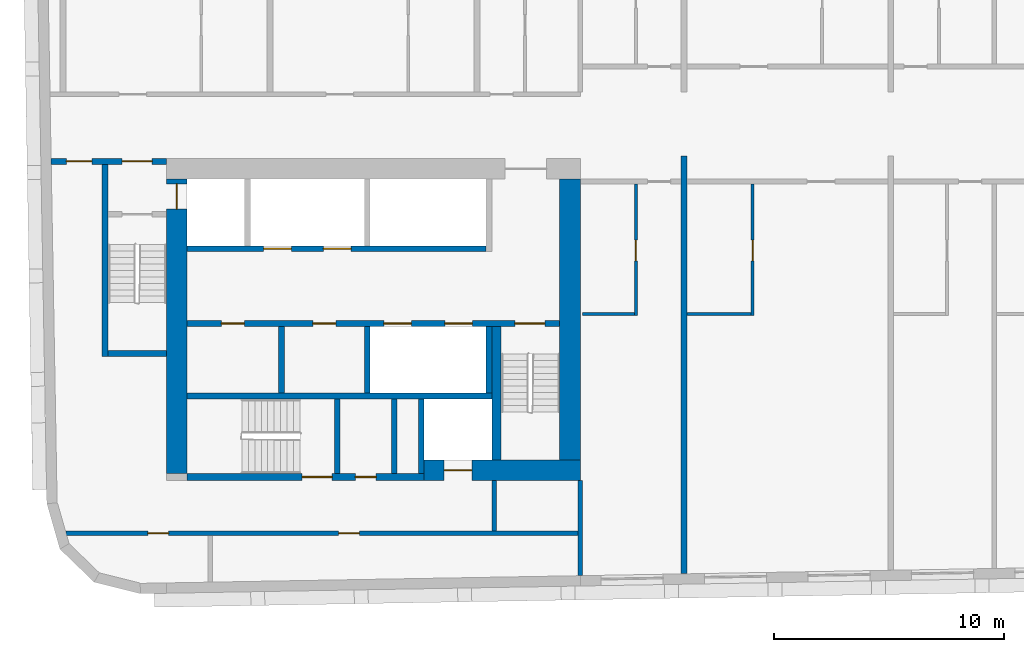
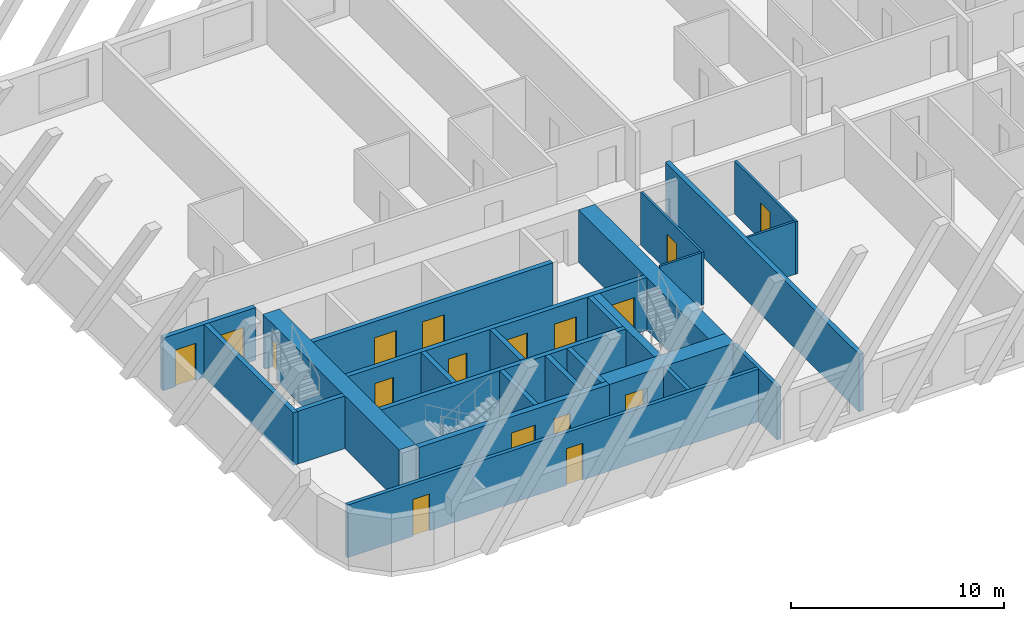
# One storey, part 2 of 12: 25 walls, 17 doors, 17 openings.
"""IFC4 building model written with IfcOpenShell, lengths in metres."""

import ifcopenshell
import ifcopenshell.guid

model = None  # the IFC model being written
_history = None  # IfcOwnerHistory: only IFC2X3 demands one
_inside = {}  # id of a spatial element -> (the spatial element, [elements in it])
_under = {}  # id of a project, library or spatial element -> (it, [spatial elements below it])
_declared = {}  # id of a project -> (the project, [libraries it declares])
_typed = {}  # id of a type object -> (the type object, [elements of that type])
_made_of = {}  # id of a material, layer set ... -> (it, [elements and type objects made of it])


def new_model(schema):
    """Start an empty IFC model of exactly this schema.

    Asked for "IFC4X3", IfcOpenShell would pick the latest addendum, in which some entities
    have other attributes; the version numbers below select the first issue.
    IFC2X3 requires an IfcOwnerHistory on every rooted entity: one is made here for all.
    """
    global model, _history
    if schema == "IFC4X3":
        model = ifcopenshell.file(schema_version=(4, 3, 0, 0))
    else:
        model = ifcopenshell.file(schema=schema)
    _inside.clear()
    _under.clear()
    _declared.clear()
    _typed.clear()
    _made_of.clear()
    _history = None
    if model.schema == "IFC2X3":
        org = make("IfcOrganization", Name="unknown")
        user = make(
            "IfcPersonAndOrganization",
            ThePerson=make("IfcPerson", FamilyName="unknown"),
            TheOrganization=org,
        )
        app = make(
            "IfcApplication",
            ApplicationDeveloper=org,
            Version="unknown",
            ApplicationFullName="unknown",
            ApplicationIdentifier="unknown",
        )
        _history = make(
            "IfcOwnerHistory",
            OwningUser=user,
            OwningApplication=app,
            ChangeAction="ADDED",
            CreationDate=0,
        )
    return model


def make(cls, **values):
    """One entity of the class cls with the attributes given. An attribute that is None is left unset."""
    return model.create_entity(
        cls, **{name: value for name, value in values.items() if value is not None}
    )


def rooted(cls, **values):
    """An entity with a GlobalId (a new one), such as an element, a storey or a relation."""
    return make(cls, GlobalId=ifcopenshell.guid.new(), OwnerHistory=_history, **values)


def si_unit(unit_type, name, prefix=None):
    """IfcSIUnit, for example si_unit("LENGTHUNIT", "METRE", prefix="MILLI")."""
    return make("IfcSIUnit", UnitType=unit_type, Prefix=prefix, Name=name)


def assignment(units):
    """IfcUnitAssignment: the units of a project."""
    return None if units is None else make("IfcUnitAssignment", Units=units)


def point(xyz):
    """IfcCartesianPoint."""
    return None if xyz is None else make("IfcCartesianPoint", Coordinates=xyz)


def direction(xyz):
    """IfcDirection."""
    return None if xyz is None else make("IfcDirection", DirectionRatios=xyz)


def frame(location, z_axis=None, x_axis=None):
    """IfcAxis2Placement3D, a coordinate frame: its origin and axes. An axis left out is left unset."""
    return make(
        "IfcAxis2Placement3D",
        Location=point(location),
        Axis=direction(z_axis),
        RefDirection=direction(x_axis),
    )


def frame_2d(location, x_axis=None):
    """IfcAxis2Placement2D, a coordinate frame in the plane: its origin and x axis."""
    return make(
        "IfcAxis2Placement2D", Location=point(location), RefDirection=direction(x_axis)
    )


def origin():
    """The frame at (0, 0, 0) with its axes left unset."""
    return frame((0.0, 0.0, 0.0))


def place(relative_to, where):
    """IfcLocalPlacement: puts the frame where relative to a parent placement (None: the world)."""
    return make(
        "IfcLocalPlacement", PlacementRelTo=relative_to, RelativePlacement=where
    )


def context(
    kind, dimensions, precision=None, world=None, true_north=None, identifier=None
):
    """IfcGeometricRepresentationContext, for example the 3D "Model" context."""
    return make(
        "IfcGeometricRepresentationContext",
        ContextIdentifier=identifier,
        ContextType=kind,
        CoordinateSpaceDimension=dimensions,
        Precision=precision,
        WorldCoordinateSystem=world,
        TrueNorth=true_north,
    )


def subcontext(parent, identifier, kind, view, scale=None):
    """IfcGeometricRepresentationSubContext, for example "Body" below "Model"."""
    return make(
        "IfcGeometricRepresentationSubContext",
        ContextIdentifier=identifier,
        ContextType=kind,
        ParentContext=parent,
        TargetScale=scale,
        TargetView=view,
    )


def project(units=None, contexts=None):
    """IfcProject with its units and contexts."""
    return rooted(
        "IfcProject",
        Name="project",
        RepresentationContexts=contexts,
        UnitsInContext=assignment(units),
    )


def spatial(cls, under=None, at=None, **own):
    """A site, building, storey or space (cls), placed at a placement, below another one or the project."""
    s = rooted(cls, ObjectPlacement=at, **own)
    if under is not None:
        _under.setdefault(under.id(), (under, []))[1].append(s)
    return s


def profile(cls, at=None, kind="AREA", **sizes):
    """A parametric profile (cls). Its sizes go by their IFC names, for example OverallWidth=200.0."""
    return make(cls, ProfileType=kind, Position=at, **sizes)


def rectangle(**sizes):
    """IfcRectangleProfileDef."""
    return profile("IfcRectangleProfileDef", **sizes)


def extrude(swept, where, along, depth):
    """IfcExtrudedAreaSolid: the profile swept, set in the frame where, extruded along a direction by depth."""
    return make(
        "IfcExtrudedAreaSolid",
        SweptArea=swept,
        Position=where,
        ExtrudedDirection=direction(along),
        Depth=depth,
    )


def shape(context_of_items, identifier, shape_type, items):
    """IfcShapeRepresentation: the items that make up one representation, for example the "Body"."""
    return make(
        "IfcShapeRepresentation",
        ContextOfItems=context_of_items,
        RepresentationIdentifier=identifier,
        RepresentationType=shape_type,
        Items=items,
    )


def material(Name=None, Category=None):
    """IfcMaterial."""
    return make("IfcMaterial", Name=Name, Category=Category)


def layer(
    of_material, thickness, ventilated=None, Name=None, Category=None, Priority=None
):
    """IfcMaterialLayer: one layer of a wall or slab, of a material (None: an air gap)."""
    return make(
        "IfcMaterialLayer",
        Material=of_material,
        LayerThickness=thickness,
        IsVentilated=ventilated,
        Name=Name,
        Category=Category,
        Priority=Priority,
    )


def layer_set(layers, Name=None):
    """IfcMaterialLayerSet."""
    return make("IfcMaterialLayerSet", MaterialLayers=layers, LayerSetName=Name)


def made_of(thing, what):
    """Note that an element or type object is made of a material, layer set ...; save() writes the relation."""
    if what is not None:
        _made_of.setdefault(what.id(), (what, []))[1].append(thing)
    return thing


def type_object(cls, material=None, **own):
    """A type object (cls), such as IfcWallType, which elements share."""
    return made_of(rooted(cls, **own), material)


def element(
    cls,
    number,
    at=None,
    inside=None,
    cuts=None,
    type_object=None,
    material=None,
    context=None,
    identifier="Body",
    shape_type=None,
    held_by="IfcProductDefinitionShape",
    body=None,
    shapes=None,
    **own,
):
    """One element of the class cls, such as IfcWall. Its Tag is "e" and its number.

    at: its placement. inside: the storey or other place that contains it. cuts: it is an
    opening in that element (IfcRelVoidsElement). A single representation is given by context,
    identifier, shape_type and body (its items); several are given by shapes. held_by: the class
    of the entity that holds the representations. save() writes the other relations.
    """
    e = rooted(cls, Tag="e%d" % number, ObjectPlacement=at, **own)
    if body is not None:
        shapes = [shape(context, identifier, shape_type, body)]
    if shapes is not None:
        e.Representation = make(held_by, Representations=shapes)
    if inside is not None:
        _inside.setdefault(inside.id(), (inside, []))[1].append(e)
    if cuts is not None:
        rooted(
            "IfcRelVoidsElement", RelatingBuildingElement=cuts, RelatedOpeningElement=e
        )
    if type_object is not None:
        _typed.setdefault(type_object.id(), (type_object, []))[1].append(e)
    return made_of(e, material)


def fill(opening, filler):
    """IfcRelFillsElement: the door or window that sits in an opening."""
    return rooted(
        "IfcRelFillsElement",
        RelatingOpeningElement=opening,
        RelatedBuildingElement=filler,
    )


def aggregate(whole, parts):
    """IfcRelAggregates: a whole, such as a stair, and the parts it consists of."""
    return rooted("IfcRelAggregates", RelatingObject=whole, RelatedObjects=parts)


def save(model, path):
    """Write the relations noted so far, then the file.

    IfcRelAggregates (storeys below a building ...), IfcRelContainedInSpatialStructure (elements
    in a storey), IfcRelDefinesByType, IfcRelAssociatesMaterial and IfcRelDeclares: one each for
    every whole, place, type object, material and project.
    """
    for whole, parts in _under.values():
        aggregate(whole, parts)
    for where, things in _inside.values():
        rooted(
            "IfcRelContainedInSpatialStructure",
            RelatedElements=things,
            RelatingStructure=where,
        )
    for kind, things in _typed.values():
        rooted("IfcRelDefinesByType", RelatedObjects=things, RelatingType=kind)
    for what, things in _made_of.values():
        rooted("IfcRelAssociatesMaterial", RelatedObjects=things, RelatingMaterial=what)
    for by, libraries in _declared.values():
        rooted("IfcRelDeclares", RelatingContext=by, RelatedDefinitions=libraries)
    model.write(path)


model = new_model("IFC4")

# Units and contexts
model_context = context("Model", 3, precision=1e-05, world=origin(), true_north=direction((0.0, 1.0)))
body_context = subcontext(model_context, "Body", "Model", "MODEL_VIEW")
ifc_project = project(units=[si_unit("LENGTHUNIT", "METRE"), si_unit("AREAUNIT", "SQUARE_METRE"), si_unit("VOLUMEUNIT", "CUBIC_METRE"), si_unit("PLANEANGLEUNIT", "RADIAN"), si_unit("MASSUNIT", "GRAM", prefix="KILO")], contexts=[model_context])

# Site, building, storey
site_placement = place(None, origin())
site = spatial("IfcSite", under=ifc_project, at=site_placement, CompositionType="ELEMENT")
building_placement = place(site_placement, origin())
building = spatial("IfcBuilding", under=site, at=building_placement, Name="Kajstack Hotel Tower", CompositionType="ELEMENT")
storey_placement = place(building_placement, frame((0.0, 0.0, 227.60009765625)))
storey = spatial("IfcBuildingStorey", under=building, at=storey_placement, Name="L55", CompositionType="ELEMENT", Elevation=227.60009765625)

# Wall, opening, door
ifc_material_1 = material(Name="Concrete C60/75", Category="concrete")
ifc_layer_1 = layer(ifc_material_1, 0.89990234375)
ifc_layer_set_1 = layer_set([ifc_layer_1], Name="Core wall 900")
wall_type_1 = type_object("IfcWallType", Name="Core wall 900", PredefinedType="SHEAR", material=ifc_layer_set_1)
wall_1_placement = place(storey_placement, frame((-20.300048828125, -15.050048828125, 0.0), z_axis=(0.0, 0.0, 1.0), x_axis=(1.0, 0.0, 0.0)))
wall_1 = element("IfcWall", 1, at=wall_1_placement, inside=storey, type_object=wall_type_1, Name="Core wall W RS", PredefinedType="SHEAR", context=body_context, shape_type="SweptSolid", body=[
    extrude(rectangle(XDim=6.800048828125, YDim=0.89990234375, at=frame_2d((3.39990234375, 0.0))), origin(), (0.0, 0.0, 1.0), 3.02001953125),
])
opening_1_placement = place(wall_1_placement, frame((0.875, 0.0, 0.0)))
opening_1 = element("IfcOpeningElement", 2, at=opening_1_placement, cuts=wall_1, Name="Opening LD-SV1", PredefinedType="OPENING", context=body_context, shape_type="SweptSolid", body=[
    extrude(rectangle(XDim=1.199951171875, YDim=2.10009765625, at=frame_2d((0.60009765625, 1.050048828125))), frame((0.0, 0.4599609375, 0.0), z_axis=(0.0, -1.0, 0.0), x_axis=(1.0, 0.0, 0.0)), (0.0, 0.0, 1.0), 0.919921875),
])
ifc_material_2 = material(Name="Stainless steel", Category="steel")
door_type_1 = type_object("IfcDoorType", Name="Lift landing door 1200", OperationType="SLIDING_TO_LEFT", PredefinedType="DOOR", material=ifc_material_2)
door_1_placement = place(opening_1_placement, origin())
door_1 = element("IfcDoor", 3, at=door_1_placement, inside=storey, type_object=door_type_1, Name="Landing door SV1", OperationType="SLIDING_TO_LEFT", OverallHeight=2.10009765625, OverallWidth=1.199951171875, PredefinedType="DOOR", context=body_context, shape_type="SweptSolid", body=[
    extrude(rectangle(XDim=1.199951171875, YDim=2.10009765625, at=frame_2d((0.60009765625, 1.050048828125))), frame((0.0, 0.02490234375, 0.0), z_axis=(0.0, -1.0, 0.0), x_axis=(1.0, 0.0, 0.0)), (0.0, 0.0, 1.0), 0.050048828125),
])
fill(opening_1, door_1)

wall_2_placement = place(storey_placement, frame((-31.050048828125, -15.199951171875, 0.0), z_axis=(0.0, 0.0, 1.0), x_axis=(0.0, 1.0, 0.0)))
wall_2 = element("IfcWall", 4, at=wall_2_placement, inside=storey, type_object=wall_type_1, Name="Core wall W RW", PredefinedType="SHEAR", context=body_context, shape_type="SweptSolid", body=[
    extrude(rectangle(XDim=12.800048828125, YDim=0.89990234375, at=frame_2d((6.39990234375, 0.0))), origin(), (0.0, 0.0, 1.0), 3.02001953125),
])
opening_2_placement = place(wall_2_placement, frame((11.5, 0.0, 0.0)))
opening_2 = element("IfcOpeningElement", 5, at=opening_2_placement, cuts=wall_2, Name="Opening LD-FF1", PredefinedType="OPENING", context=body_context, shape_type="SweptSolid", body=[
    extrude(rectangle(XDim=1.10009765625, YDim=2.10009765625, at=frame_2d((0.550048828125, 1.050048828125))), frame((0.0, 0.4599609375, 0.0), z_axis=(0.0, -1.0, 0.0), x_axis=(1.0, 0.0, 0.0)), (0.0, 0.0, 1.0), 0.919921875),
])
door_type_2 = type_object("IfcDoorType", Name="Fire-fighting lift landing door 1100", OperationType="SLIDING_TO_LEFT", PredefinedType="DOOR", material=ifc_material_2)
door_2_placement = place(opening_2_placement, origin())
door_2 = element("IfcDoor", 6, at=door_2_placement, inside=storey, type_object=door_type_2, Name="Landing door FF1", OperationType="SLIDING_TO_RIGHT", OverallHeight=2.10009765625, OverallWidth=1.10009765625, PredefinedType="DOOR", context=body_context, shape_type="SweptSolid", body=[
    extrude(rectangle(XDim=1.10009765625, YDim=2.10009765625, at=frame_2d((0.550048828125, 1.050048828125))), frame((0.0, 0.02490234375, 0.0), z_axis=(0.0, -1.0, 0.0), x_axis=(1.0, 0.0, 0.0)), (0.0, 0.0, 1.0), 0.050048828125),
])
fill(opening_2, door_2)

# Walls
wall_3_placement = place(storey_placement, frame((-13.949951171875, -14.60009765625, 0.0), z_axis=(0.0, 0.0, 1.0), x_axis=(0.0, 1.0, 0.0)))
element("IfcWall", 7, at=wall_3_placement, inside=storey, type_object=wall_type_1, Name="Core wall W RE", PredefinedType="SHEAR", context=body_context, shape_type="SweptSolid", body=[
    extrude(rectangle(XDim=12.2001953125, YDim=0.89990234375, at=frame_2d((6.10009765625, 0.0))), origin(), (0.0, 0.0, 1.0), 3.02001953125),
])
ifc_material_3 = material(Name="Twin-frame gypsum board on steel studs, mineral wool", Category="steel")
ifc_layer_2 = layer(ifc_material_3, 0.199951171875)
ifc_layer_set_2 = layer_set([ifc_layer_2], Name="Demising wall 200")
wall_type_2 = type_object("IfcWallType", Name="Demising wall 200", PredefinedType="PARTITIONING", material=ifc_layer_set_2)
wall_4_placement = place(storey_placement, frame((-13.5, -19.64111328125, 0.0), z_axis=(0.0, 0.0, 1.0), x_axis=(0.0, 1.0, 0.0)))
element("IfcWall", 8, at=wall_4_placement, inside=storey, type_object=wall_type_2, Name="G-wall-L55-002", PredefinedType="PARTITIONING", context=body_context, shape_type="SweptSolid", body=[
    extrude(rectangle(XDim=4.14111328125, YDim=0.199951171875, at=frame_2d((2.070556640625, 0.0))), origin(), (0.0, 0.0, 1.0), 3.02001953125),
])

# Wall, opening, door
ifc_material_4 = material(Name="Gypsum board and tiled backer on steel studs", Category="steel")
ifc_layer_3 = layer(ifc_material_4, 0.125)
ifc_layer_set_3 = layer_set([ifc_layer_3], Name="En-suite wall 125")
wall_type_3 = type_object("IfcWallType", Name="En-suite wall 125", PredefinedType="PARTITIONING", material=ifc_layer_set_3)
wall_5_placement = place(storey_placement, frame((-11.087890625, -8.324951171875, 0.0), z_axis=(0.0, 0.0, 1.0), x_axis=(0.0, 1.0, 0.0)))
wall_5 = element("IfcWall", 9, at=wall_5_placement, inside=storey, type_object=wall_type_3, Name="G-wall-L55-027", PredefinedType="PARTITIONING", context=body_context, shape_type="SweptSolid", body=[
    extrude(rectangle(XDim=5.724853515625, YDim=0.125, at=frame_2d((2.8623046875, 0.0))), origin(), (0.0, 0.0, 1.0), 3.02001953125),
])
opening_3_placement = place(wall_5_placement, frame((2.375, 0.0, 0.0)))
opening_3 = element("IfcOpeningElement", 10, at=opening_3_placement, cuts=wall_5, Name="Opening 55020", PredefinedType="OPENING", context=body_context, shape_type="SweptSolid", body=[
    extrude(rectangle(XDim=0.89990234375, YDim=2.10009765625, at=frame_2d((0.449951171875, 1.050048828125))), frame((0.0, 0.072509765625, 0.0), z_axis=(0.0, -1.0, 0.0), x_axis=(1.0, 0.0, 0.0)), (0.0, 0.0, 1.0), 0.14501953125),
])
ifc_material_5 = material(Name="Painted timber door leaf", Category="wood")
door_type_3 = type_object("IfcDoorType", Name="Room door 900", OperationType="SINGLE_SWING_LEFT", PredefinedType="DOOR", material=ifc_material_5)
door_3_placement = place(opening_3_placement, origin())
door_3 = element("IfcDoor", 11, at=door_3_placement, inside=storey, type_object=door_type_3, Name="G-door-L55-20", OperationType="SINGLE_SWING_LEFT", OverallHeight=2.10009765625, OverallWidth=0.89990234375, PredefinedType="DOOR", context=body_context, shape_type="SweptSolid", body=[
    extrude(rectangle(XDim=0.89990234375, YDim=2.10009765625, at=frame_2d((0.449951171875, 1.050048828125))), frame((0.0, 0.02490234375, 0.0), z_axis=(0.0, -1.0, 0.0), x_axis=(1.0, 0.0, 0.0)), (0.0, 0.0, 1.0), 0.050048828125),
])
fill(opening_3, door_3)

# Wall
wall_6_placement = place(storey_placement, frame((-13.39990234375, -8.261962890625, 0.0), z_axis=(0.0, 0.0, 1.0), x_axis=(1.0, 0.0, 0.0)))
element("IfcWall", 12, at=wall_6_placement, inside=storey, type_object=wall_type_3, Name="G-wall-L55-028", PredefinedType="PARTITIONING", context=body_context, shape_type="SweptSolid", body=[
    extrude(rectangle(XDim=2.25, YDim=0.125, at=frame_2d((1.125, 0.0))), origin(), (0.0, 0.0, 1.0), 3.02001953125),
])

# Wall, opening, door
wall_7_placement = place(storey_placement, frame((-6.012939453125, -8.324951171875, 0.0), z_axis=(0.0, 0.0, 1.0), x_axis=(0.0, 1.0, 0.0)))
wall_7 = element("IfcWall", 13, at=wall_7_placement, inside=storey, type_object=wall_type_3, Name="G-wall-L55-029", PredefinedType="PARTITIONING", context=body_context, shape_type="SweptSolid", body=[
    extrude(rectangle(XDim=5.724853515625, YDim=0.125, at=frame_2d((2.8623046875, 0.0))), origin(), (0.0, 0.0, 1.0), 3.02001953125),
])
opening_4_placement = place(wall_7_placement, frame((2.375, 0.0, 0.0)))
opening_4 = element("IfcOpeningElement", 14, at=opening_4_placement, cuts=wall_7, Name="Opening 55022", PredefinedType="OPENING", context=body_context, shape_type="SweptSolid", body=[
    extrude(rectangle(XDim=0.89990234375, YDim=2.10009765625, at=frame_2d((0.449951171875, 1.050048828125))), frame((0.0, 0.072509765625, 0.0), z_axis=(0.0, -1.0, 0.0), x_axis=(1.0, 0.0, 0.0)), (0.0, 0.0, 1.0), 0.14501953125),
])
door_4_placement = place(opening_4_placement, origin())
door_4 = element("IfcDoor", 15, at=door_4_placement, inside=storey, type_object=door_type_3, Name="G-door-L55-22", OperationType="SINGLE_SWING_RIGHT", OverallHeight=2.10009765625, OverallWidth=0.89990234375, PredefinedType="DOOR", context=body_context, shape_type="SweptSolid", body=[
    extrude(rectangle(XDim=0.89990234375, YDim=2.10009765625, at=frame_2d((0.449951171875, 1.050048828125))), frame((0.0, 0.02490234375, 0.0), z_axis=(0.0, -1.0, 0.0), x_axis=(1.0, 0.0, 0.0)), (0.0, 0.0, 1.0), 0.050048828125),
])
fill(opening_4, door_4)

# Walls
wall_8_placement = place(storey_placement, frame((-8.875, -8.261962890625, 0.0), z_axis=(0.0, 0.0, 1.0), x_axis=(1.0, 0.0, 0.0)))
element("IfcWall", 16, at=wall_8_placement, inside=storey, type_object=wall_type_3, Name="G-wall-L55-030", PredefinedType="PARTITIONING", context=body_context, shape_type="SweptSolid", body=[
    extrude(rectangle(XDim=2.800048828125, YDim=0.125, at=frame_2d((1.39990234375, 0.0))), origin(), (0.0, 0.0, 1.0), 3.02001953125),
])
ifc_material_6 = material(Name="Concrete C50/60", Category="concrete")
ifc_layer_4 = layer(ifc_material_6, 0.300048828125)
ifc_layer_set_4 = layer_set([ifc_layer_4], Name="Hoistway divider wall 300")
wall_type_4 = type_object("IfcWallType", Name="Hoistway divider wall 300", PredefinedType="SHEAR", material=ifc_layer_set_4)
wall_9_placement = place(storey_placement, frame((-22.77490234375, -11.699951171875, 0.0), z_axis=(0.0, 0.0, 1.0), x_axis=(0.0, 1.0, 0.0)))
element("IfcWall", 17, at=wall_9_placement, inside=storey, type_object=wall_type_4, Name="Core wall W BP2", PredefinedType="SHEAR", context=body_context, shape_type="SweptSolid", body=[
    extrude(rectangle(XDim=2.89990234375, YDim=0.25, at=frame_2d((1.449951171875, 0.0))), origin(), (0.0, 0.0, 1.0), 3.02001953125),
])
ifc_material_7 = material(Name="Concrete C45/55", Category="concrete")
ifc_layer_5 = layer(ifc_material_7, 0.25)
ifc_layer_set_5 = layer_set([ifc_layer_5], Name="RC cross wall 250 C45/55")
wall_type_5 = type_object("IfcWallType", Name="RC cross wall 250 C45/55", PredefinedType="SHEAR", material=ifc_layer_set_5)
wall_10_placement = place(storey_placement, frame((-9.0, -19.55029296875, 0.0), z_axis=(0.0, 0.0, 1.0), x_axis=(0.0, 1.0, 0.0)))
element("IfcWall", 18, at=wall_10_placement, inside=storey, type_object=wall_type_5, Name="S-wall-L55-04", PredefinedType="SHEAR", context=body_context, shape_type="SweptSolid", body=[
    extrude(rectangle(XDim=18.150390625, YDim=0.25, at=frame_2d((9.0751953125, 0.0))), origin(), (0.0, 0.0, 1.0), 3.2998046875),
])
ifc_material_8 = material(Name="Concrete block masonry", Category="masonry")
ifc_layer_6 = layer(ifc_material_8, 0.25)
ifc_layer_set_6 = layer_set([ifc_layer_6], Name="Riser partition 250")
wall_type_6 = type_object("IfcWallType", Name="Riser partition 250", PredefinedType="PARTITIONING", material=ifc_layer_set_6)
wall_11_placement = place(storey_placement, frame((-26.5, -11.699951171875, 0.0), z_axis=(0.0, 0.0, 1.0), x_axis=(0.0, 1.0, 0.0)))
element("IfcWall", 19, at=wall_11_placement, inside=storey, type_object=wall_type_6, Name="Partition W BF0", PredefinedType="PARTITIONING", context=body_context, shape_type="SweptSolid", body=[
    extrude(rectangle(XDim=2.89990234375, YDim=0.25, at=frame_2d((1.449951171875, 0.0))), origin(), (0.0, 0.0, 1.0), 3.02001953125),
])
wall_12_placement = place(storey_placement, frame((-21.60009765625, -15.199951171875, 0.0), z_axis=(0.0, 0.0, 1.0), x_axis=(0.0, 1.0, 0.0)))
element("IfcWall", 20, at=wall_12_placement, inside=storey, type_object=wall_type_6, Name="Partition W SZ0", PredefinedType="PARTITIONING", context=body_context, shape_type="SweptSolid", body=[
    extrude(rectangle(XDim=3.25, YDim=0.25, at=frame_2d((1.625, 0.0))), origin(), (0.0, 0.0, 1.0), 3.02001953125),
])

# Wall, openings, doors
ifc_material_9 = material(Name="Gypsum board on steel studs, mineral wool", Category="steel")
ifc_layer_7 = layer(ifc_material_9, 0.199951171875)
ifc_layer_set_7 = layer_set([ifc_layer_7], Name="Service partition 200")
wall_type_7 = type_object("IfcWallType", Name="Service partition 200", PredefinedType="PARTITIONING", material=ifc_layer_set_7)
wall_13_placement = place(storey_placement, frame((-36.515380859375, -1.625, 0.0), z_axis=(0.0, 0.0, 1.0), x_axis=(1.0, 0.0, 0.0)))
wall_13 = element("IfcWall", 21, at=wall_13_placement, inside=storey, type_object=wall_type_7, Name="Partition W SN", PredefinedType="PARTITIONING", context=body_context, shape_type="SweptSolid", body=[
    extrude(rectangle(XDim=5.015380859375, YDim=0.25, at=frame_2d((2.5078125, 0.0))), origin(), (0.0, 0.0, 1.0), 3.02001953125),
])
opening_5_placement = place(wall_13_placement, frame((3.09033203125, 0.0, 0.0)))
opening_5 = element("IfcOpeningElement", 22, at=opening_5_placement, cuts=wall_13, Name="Opening 55W08", PredefinedType="OPENING", context=body_context, shape_type="SweptSolid", body=[
    extrude(rectangle(XDim=1.300048828125, YDim=2.10009765625, at=frame_2d((0.64990234375, 1.050048828125))), frame((0.0, 0.135009765625, 0.0), z_axis=(0.0, -1.0, 0.0), x_axis=(1.0, 0.0, 0.0)), (0.0, 0.0, 1.0), 0.27001953125),
])
opening_6_placement = place(wall_13_placement, frame((0.665283203125, 0.0, 0.0)))
opening_6 = element("IfcOpeningElement", 23, at=opening_6_placement, cuts=wall_13, Name="Opening 55W10", PredefinedType="OPENING", context=body_context, shape_type="SweptSolid", body=[
    extrude(rectangle(XDim=1.10009765625, YDim=2.10009765625, at=frame_2d((0.550048828125, 1.050048828125))), frame((0.0, 0.135009765625, 0.0), z_axis=(0.0, -1.0, 0.0), x_axis=(1.0, 0.0, 0.0)), (0.0, 0.0, 1.0), 0.27001953125),
])
ifc_material_10 = material(Name="Steel leaf, fire-rated", Category="steel")
door_type_4 = type_object("IfcDoorType", Name="Fire lobby door 1300", OperationType="SINGLE_SWING_LEFT", PredefinedType="DOOR", material=ifc_material_10)
door_5_placement = place(opening_5_placement, origin())
door_5 = element("IfcDoor", 24, at=door_5_placement, inside=storey, type_object=door_type_4, Name="Door 55W08", OperationType="SINGLE_SWING_RIGHT", OverallHeight=2.10009765625, OverallWidth=1.300048828125, PredefinedType="DOOR", context=body_context, shape_type="SweptSolid", body=[
    extrude(rectangle(XDim=1.300048828125, YDim=2.10009765625, at=frame_2d((0.64990234375, 1.050048828125))), frame((0.0, 0.02490234375, 0.0), z_axis=(0.0, -1.0, 0.0), x_axis=(1.0, 0.0, 0.0)), (0.0, 0.0, 1.0), 0.050048828125),
])
fill(opening_5, door_5)
ifc_material_11 = material(Name="Timber leaf, fire-rated", Category="wood")
door_type_5 = type_object("IfcDoorType", Name="Service corridor door 1100", OperationType="SINGLE_SWING_LEFT", PredefinedType="DOOR", material=ifc_material_11)
door_6_placement = place(opening_6_placement, origin())
door_6 = element("IfcDoor", 25, at=door_6_placement, inside=storey, type_object=door_type_5, Name="Door 55W10", OperationType="SINGLE_SWING_RIGHT", OverallHeight=2.10009765625, OverallWidth=1.10009765625, PredefinedType="DOOR", context=body_context, shape_type="SweptSolid", body=[
    extrude(rectangle(XDim=1.10009765625, YDim=2.10009765625, at=frame_2d((0.550048828125, 1.050048828125))), frame((0.0, 0.02490234375, 0.0), z_axis=(0.0, -1.0, 0.0), x_axis=(1.0, 0.0, 0.0)), (0.0, 0.0, 1.0), 0.050048828125),
])
fill(opening_6, door_6)

# Wall
wall_14_placement = place(storey_placement, frame((-17.25, -17.699951171875, 0.0), z_axis=(0.0, 0.0, 1.0), x_axis=(0.0, 1.0, 0.0)))
element("IfcWall", 26, at=wall_14_placement, inside=storey, type_object=wall_type_7, Name="Partition W SCE", PredefinedType="PARTITIONING", context=body_context, shape_type="SweptSolid", body=[
    extrude(rectangle(XDim=2.199951171875, YDim=0.199951171875, at=frame_2d((1.10009765625, 0.0))), origin(), (0.0, 0.0, 1.0), 3.02001953125),
])

# Wall, openings, doors
wall_15_placement = place(storey_placement, frame((-35.86376953125, -17.800048828125, 0.0), z_axis=(0.0, 0.0, 1.0), x_axis=(1.0, 0.0, 0.0)))
wall_15 = element("IfcWall", 27, at=wall_15_placement, inside=storey, type_object=wall_type_7, Name="Partition W SLN", PredefinedType="PARTITIONING", context=body_context, shape_type="SweptSolid", body=[
    extrude(rectangle(XDim=22.263671875, YDim=0.199951171875, at=frame_2d((11.1318359375, 0.0))), origin(), (0.0, 0.0, 1.0), 3.02001953125),
])
opening_7_placement = place(wall_15_placement, frame((3.55126953125, 0.0, 0.0)))
opening_7 = element("IfcOpeningElement", 28, at=opening_7_placement, cuts=wall_15, Name="Opening 55W16", PredefinedType="OPENING", context=body_context, shape_type="SweptSolid", body=[
    extrude(rectangle(XDim=0.89990234375, YDim=2.10009765625, at=frame_2d((0.449951171875, 1.050048828125))), frame((0.0, 0.10986328125, 0.0), z_axis=(0.0, -1.0, 0.0), x_axis=(1.0, 0.0, 0.0)), (0.0, 0.0, 1.0), 0.219970703125),
])
opening_8_placement = place(wall_15_placement, frame((11.851318359375, 0.0, 0.0)))
opening_8 = element("IfcOpeningElement", 29, at=opening_8_placement, cuts=wall_15, Name="Opening 55W17", PredefinedType="OPENING", context=body_context, shape_type="SweptSolid", body=[
    extrude(rectangle(XDim=0.89990234375, YDim=2.10009765625, at=frame_2d((0.449951171875, 1.050048828125))), frame((0.0, 0.10986328125, 0.0), z_axis=(0.0, -1.0, 0.0), x_axis=(1.0, 0.0, 0.0)), (0.0, 0.0, 1.0), 0.219970703125),
])
door_type_6 = type_object("IfcDoorType", Name="Service door 900", OperationType="SINGLE_SWING_LEFT", PredefinedType="DOOR", material=ifc_material_11)
door_7_placement = place(opening_7_placement, origin())
door_7 = element("IfcDoor", 30, at=door_7_placement, inside=storey, type_object=door_type_6, Name="Door 55W16", OperationType="SINGLE_SWING_RIGHT", OverallHeight=2.10009765625, OverallWidth=0.89990234375, PredefinedType="DOOR", context=body_context, shape_type="SweptSolid", body=[
    extrude(rectangle(XDim=0.89990234375, YDim=2.10009765625, at=frame_2d((0.449951171875, 1.050048828125))), frame((0.0, 0.02490234375, 0.0), z_axis=(0.0, -1.0, 0.0), x_axis=(1.0, 0.0, 0.0)), (0.0, 0.0, 1.0), 0.050048828125),
])
fill(opening_7, door_7)
door_8_placement = place(opening_8_placement, origin())
door_8 = element("IfcDoor", 31, at=door_8_placement, inside=storey, type_object=door_type_6, Name="Door 55W17", OperationType="SINGLE_SWING_RIGHT", OverallHeight=2.10009765625, OverallWidth=0.89990234375, PredefinedType="DOOR", context=body_context, shape_type="SweptSolid", body=[
    extrude(rectangle(XDim=0.89990234375, YDim=2.10009765625, at=frame_2d((0.449951171875, 1.050048828125))), frame((0.0, 0.02490234375, 0.0), z_axis=(0.0, -1.0, 0.0), x_axis=(1.0, 0.0, 0.0)), (0.0, 0.0, 1.0), 0.050048828125),
])
fill(opening_8, door_8)

ifc_layer_8 = layer(ifc_material_6, 0.25)
ifc_layer_set_8 = layer_set([ifc_layer_8], Name="Shaft wall 250")
wall_type_8 = type_object("IfcWallType", Name="Shaft wall 250", PredefinedType="SHEAR", material=ifc_layer_set_8)
wall_16_placement = place(storey_placement, frame((-30.60009765625, -15.35009765625, 0.0), z_axis=(0.0, 0.0, 1.0), x_axis=(1.0, 0.0, 0.0)))
wall_16 = element("IfcWall", 32, at=wall_16_placement, inside=storey, type_object=wall_type_8, Name="Core wall W RSS", PredefinedType="SHEAR", context=body_context, shape_type="SweptSolid", body=[
    extrude(rectangle(XDim=10.300048828125, YDim=0.300048828125, at=frame_2d((5.14990234375, 0.0))), origin(), (0.0, 0.0, 1.0), 3.02001953125),
])
opening_9_placement = place(wall_16_placement, frame((5.0, 0.0, 0.0)))
opening_9 = element("IfcOpeningElement", 33, at=opening_9_placement, cuts=wall_16, Name="Opening 55W12", PredefinedType="OPENING", context=body_context, shape_type="SweptSolid", body=[
    extrude(rectangle(XDim=1.300048828125, YDim=2.10009765625, at=frame_2d((0.64990234375, 1.050048828125))), frame((0.0, 0.159912109375, 0.0), z_axis=(0.0, -1.0, 0.0), x_axis=(1.0, 0.0, 0.0)), (0.0, 0.0, 1.0), 0.320068359375),
])
opening_10_placement = place(wall_16_placement, frame((7.3125, 0.0, 0.0)))
opening_10 = element("IfcOpeningElement", 34, at=opening_10_placement, cuts=wall_16, Name="Opening 55W13", PredefinedType="OPENING", context=body_context, shape_type="SweptSolid", body=[
    extrude(rectangle(XDim=0.89990234375, YDim=2.10009765625, at=frame_2d((0.449951171875, 1.050048828125))), frame((0.0, 0.159912109375, 0.0), z_axis=(0.0, -1.0, 0.0), x_axis=(1.0, 0.0, 0.0)), (0.0, 0.0, 1.0), 0.320068359375),
])
door_9_placement = place(opening_10_placement, origin())
door_9 = element("IfcDoor", 35, at=door_9_placement, inside=storey, type_object=door_type_6, Name="Door 55W13", OperationType="SINGLE_SWING_LEFT", OverallHeight=2.10009765625, OverallWidth=0.89990234375, PredefinedType="DOOR", context=body_context, shape_type="SweptSolid", body=[
    extrude(rectangle(XDim=0.89990234375, YDim=2.10009765625, at=frame_2d((0.449951171875, 1.050048828125))), frame((0.0, 0.02490234375, 0.0), z_axis=(0.0, -1.0, 0.0), x_axis=(1.0, 0.0, 0.0)), (0.0, 0.0, 1.0), 0.050048828125),
])
fill(opening_10, door_9)
door_type_7 = type_object("IfcDoorType", Name="Stair door 1300", OperationType="SINGLE_SWING_LEFT", PredefinedType="DOOR", material=ifc_material_10)
door_10_placement = place(opening_9_placement, origin())
door_10 = element("IfcDoor", 36, at=door_10_placement, inside=storey, type_object=door_type_7, Name="Door 55W12", OperationType="SINGLE_SWING_RIGHT", OverallHeight=2.10009765625, OverallWidth=1.300048828125, PredefinedType="DOOR", context=body_context, shape_type="SweptSolid", body=[
    extrude(rectangle(XDim=1.300048828125, YDim=2.10009765625, at=frame_2d((0.64990234375, 1.050048828125))), frame((0.0, 0.02490234375, 0.0), z_axis=(0.0, -1.0, 0.0), x_axis=(1.0, 0.0, 0.0)), (0.0, 0.0, 1.0), 0.050048828125),
])
fill(opening_9, door_10)

wall_17_placement = place(storey_placement, frame((-30.60009765625, -5.425048828125, 0.0), z_axis=(0.0, 0.0, 1.0), x_axis=(1.0, 0.0, 0.0)))
wall_17 = element("IfcWall", 37, at=wall_17_placement, inside=storey, type_object=wall_type_8, Name="Core wall W FA", PredefinedType="SHEAR", context=body_context, shape_type="SweptSolid", body=[
    extrude(rectangle(XDim=13.0, YDim=0.25, at=frame_2d((6.5, 0.0))), origin(), (0.0, 0.0, 1.0), 3.02001953125),
])
opening_11_placement = place(wall_17_placement, frame((3.324951171875, 0.0, 0.0)))
opening_11 = element("IfcOpeningElement", 38, at=opening_11_placement, cuts=wall_17, Name="Opening LD-MR3", PredefinedType="OPENING", context=body_context, shape_type="SweptSolid", body=[
    extrude(rectangle(XDim=1.199951171875, YDim=2.10009765625, at=frame_2d((0.60009765625, 1.050048828125))), frame((0.0, 0.135009765625, 0.0), z_axis=(0.0, -1.0, 0.0), x_axis=(1.0, 0.0, 0.0)), (0.0, 0.0, 1.0), 0.27001953125),
])
opening_12_placement = place(wall_17_placement, frame((5.925048828125, 0.0, 0.0)))
opening_12 = element("IfcOpeningElement", 39, at=opening_12_placement, cuts=wall_17, Name="Opening LD-MR4", PredefinedType="OPENING", context=body_context, shape_type="SweptSolid", body=[
    extrude(rectangle(XDim=1.199951171875, YDim=2.10009765625, at=frame_2d((0.60009765625, 1.050048828125))), frame((0.0, 0.135009765625, 0.0), z_axis=(0.0, -1.0, 0.0), x_axis=(1.0, 0.0, 0.0)), (0.0, 0.0, 1.0), 0.27001953125),
])
door_11_placement = place(opening_11_placement, origin())
door_11 = element("IfcDoor", 40, at=door_11_placement, inside=storey, type_object=door_type_1, Name="Landing door MR3", OperationType="SLIDING_TO_RIGHT", OverallHeight=2.10009765625, OverallWidth=1.199951171875, PredefinedType="DOOR", context=body_context, shape_type="SweptSolid", body=[
    extrude(rectangle(XDim=1.199951171875, YDim=2.10009765625, at=frame_2d((0.60009765625, 1.050048828125))), frame((0.0, 0.02490234375, 0.0), z_axis=(0.0, -1.0, 0.0), x_axis=(1.0, 0.0, 0.0)), (0.0, 0.0, 1.0), 0.050048828125),
])
fill(opening_11, door_11)
door_12_placement = place(opening_12_placement, origin())
door_12 = element("IfcDoor", 41, at=door_12_placement, inside=storey, type_object=door_type_1, Name="Landing door MR4", OperationType="SLIDING_TO_RIGHT", OverallHeight=2.10009765625, OverallWidth=1.199951171875, PredefinedType="DOOR", context=body_context, shape_type="SweptSolid", body=[
    extrude(rectangle(XDim=1.199951171875, YDim=2.10009765625, at=frame_2d((0.60009765625, 1.050048828125))), frame((0.0, 0.02490234375, 0.0), z_axis=(0.0, -1.0, 0.0), x_axis=(1.0, 0.0, 0.0)), (0.0, 0.0, 1.0), 0.050048828125),
])
fill(opening_12, door_12)

wall_18_placement = place(storey_placement, frame((-30.60009765625, -8.675048828125, 0.0), z_axis=(0.0, 0.0, 1.0), x_axis=(1.0, 0.0, 0.0)))
wall_18 = element("IfcWall", 42, at=wall_18_placement, inside=storey, type_object=wall_type_8, Name="Core wall W FB", PredefinedType="SHEAR", context=body_context, shape_type="SweptSolid", body=[
    extrude(rectangle(XDim=16.2001953125, YDim=0.25, at=frame_2d((8.10009765625, 0.0))), origin(), (0.0, 0.0, 1.0), 3.02001953125),
])
opening_13_placement = place(wall_18_placement, frame((8.550048828125, 0.0, 0.0)))
opening_13 = element("IfcOpeningElement", 43, at=opening_13_placement, cuts=wall_18, Name="Opening LD-MR1", PredefinedType="OPENING", context=body_context, shape_type="SweptSolid", body=[
    extrude(rectangle(XDim=1.199951171875, YDim=2.10009765625, at=frame_2d((0.60009765625, 1.050048828125))), frame((0.0, 0.135009765625, 0.0), z_axis=(0.0, -1.0, 0.0), x_axis=(1.0, 0.0, 0.0)), (0.0, 0.0, 1.0), 0.27001953125),
])
opening_14_placement = place(wall_18_placement, frame((11.199951171875, 0.0, 0.0)))
opening_14 = element("IfcOpeningElement", 44, at=opening_14_placement, cuts=wall_18, Name="Opening LD-MR2", PredefinedType="OPENING", context=body_context, shape_type="SweptSolid", body=[
    extrude(rectangle(XDim=1.199951171875, YDim=2.10009765625, at=frame_2d((0.60009765625, 1.050048828125))), frame((0.0, 0.135009765625, 0.0), z_axis=(0.0, -1.0, 0.0), x_axis=(1.0, 0.0, 0.0)), (0.0, 0.0, 1.0), 0.27001953125),
])
opening_15_placement = place(wall_18_placement, frame((14.25, 0.0, 0.0)))
opening_15 = element("IfcOpeningElement", 45, at=opening_15_placement, cuts=wall_18, Name="Opening 55W11", PredefinedType="OPENING", context=body_context, shape_type="SweptSolid", body=[
    extrude(rectangle(XDim=1.300048828125, YDim=2.10009765625, at=frame_2d((0.64990234375, 1.050048828125))), frame((0.0, 0.135009765625, 0.0), z_axis=(0.0, -1.0, 0.0), x_axis=(1.0, 0.0, 0.0)), (0.0, 0.0, 1.0), 0.27001953125),
])
opening_16_placement = place(wall_18_placement, frame((1.487548828125, 0.0, 0.0)))
opening_16 = element("IfcOpeningElement", 46, at=opening_16_placement, cuts=wall_18, Name="Opening 55W14", PredefinedType="OPENING", context=body_context, shape_type="SweptSolid", body=[
    extrude(rectangle(XDim=1.0, YDim=2.10009765625, at=frame_2d((0.5, 1.050048828125))), frame((0.0, 0.135009765625, 0.0), z_axis=(0.0, -1.0, 0.0), x_axis=(1.0, 0.0, 0.0)), (0.0, 0.0, 1.0), 0.27001953125),
])
opening_17_placement = place(wall_18_placement, frame((5.46240234375, 0.0, 0.0)))
opening_17 = element("IfcOpeningElement", 47, at=opening_17_placement, cuts=wall_18, Name="Opening 55W15", PredefinedType="OPENING", context=body_context, shape_type="SweptSolid", body=[
    extrude(rectangle(XDim=1.0, YDim=2.10009765625, at=frame_2d((0.5, 1.050048828125))), frame((0.0, 0.135009765625, 0.0), z_axis=(0.0, -1.0, 0.0), x_axis=(1.0, 0.0, 0.0)), (0.0, 0.0, 1.0), 0.27001953125),
])
door_13_placement = place(opening_13_placement, origin())
door_13 = element("IfcDoor", 48, at=door_13_placement, inside=storey, type_object=door_type_1, Name="Landing door MR1", OperationType="SLIDING_TO_LEFT", OverallHeight=2.10009765625, OverallWidth=1.199951171875, PredefinedType="DOOR", context=body_context, shape_type="SweptSolid", body=[
    extrude(rectangle(XDim=1.199951171875, YDim=2.10009765625, at=frame_2d((0.60009765625, 1.050048828125))), frame((0.0, 0.02490234375, 0.0), z_axis=(0.0, -1.0, 0.0), x_axis=(1.0, 0.0, 0.0)), (0.0, 0.0, 1.0), 0.050048828125),
])
fill(opening_13, door_13)
door_14_placement = place(opening_14_placement, origin())
door_14 = element("IfcDoor", 49, at=door_14_placement, inside=storey, type_object=door_type_1, Name="Landing door MR2", OperationType="SLIDING_TO_RIGHT", OverallHeight=2.10009765625, OverallWidth=1.199951171875, PredefinedType="DOOR", context=body_context, shape_type="SweptSolid", body=[
    extrude(rectangle(XDim=1.199951171875, YDim=2.10009765625, at=frame_2d((0.60009765625, 1.050048828125))), frame((0.0, 0.02490234375, 0.0), z_axis=(0.0, -1.0, 0.0), x_axis=(1.0, 0.0, 0.0)), (0.0, 0.0, 1.0), 0.050048828125),
])
fill(opening_14, door_14)
door_type_8 = type_object("IfcDoorType", Name="Service room door 1000", OperationType="SINGLE_SWING_LEFT", PredefinedType="DOOR", material=ifc_material_11)
door_15_placement = place(opening_16_placement, origin())
door_15 = element("IfcDoor", 50, at=door_15_placement, inside=storey, type_object=door_type_8, Name="Door 55W14", OperationType="SINGLE_SWING_RIGHT", OverallHeight=2.10009765625, OverallWidth=1.0, PredefinedType="DOOR", context=body_context, shape_type="SweptSolid", body=[
    extrude(rectangle(XDim=1.0, YDim=2.10009765625, at=frame_2d((0.5, 1.050048828125))), frame((0.0, 0.02490234375, 0.0), z_axis=(0.0, -1.0, 0.0), x_axis=(1.0, 0.0, 0.0)), (0.0, 0.0, 1.0), 0.050048828125),
])
fill(opening_16, door_15)
door_16_placement = place(opening_17_placement, origin())
door_16 = element("IfcDoor", 51, at=door_16_placement, inside=storey, type_object=door_type_8, Name="Door 55W15", OperationType="SINGLE_SWING_RIGHT", OverallHeight=2.10009765625, OverallWidth=1.0, PredefinedType="DOOR", context=body_context, shape_type="SweptSolid", body=[
    extrude(rectangle(XDim=1.0, YDim=2.10009765625, at=frame_2d((0.5, 1.050048828125))), frame((0.0, 0.02490234375, 0.0), z_axis=(0.0, -1.0, 0.0), x_axis=(1.0, 0.0, 0.0)), (0.0, 0.0, 1.0), 0.050048828125),
])
fill(opening_17, door_16)
door_17_placement = place(opening_15_placement, origin())
door_17 = element("IfcDoor", 52, at=door_17_placement, inside=storey, type_object=door_type_7, Name="Door 55W11", OperationType="SINGLE_SWING_RIGHT", OverallHeight=2.10009765625, OverallWidth=1.300048828125, PredefinedType="DOOR", context=body_context, shape_type="SweptSolid", body=[
    extrude(rectangle(XDim=1.300048828125, YDim=2.10009765625, at=frame_2d((0.64990234375, 1.050048828125))), frame((0.0, 0.02490234375, 0.0), z_axis=(0.0, -1.0, 0.0), x_axis=(1.0, 0.0, 0.0)), (0.0, 0.0, 1.0), 0.050048828125),
])
fill(opening_15, door_17)

# Walls
wall_19_placement = place(storey_placement, frame((-30.60009765625, -11.824951171875, 0.0), z_axis=(0.0, 0.0, 1.0), x_axis=(1.0, 0.0, 0.0)))
element("IfcWall", 53, at=wall_19_placement, inside=storey, type_object=wall_type_8, Name="Core wall W RB", PredefinedType="SHEAR", context=body_context, shape_type="SweptSolid", body=[
    extrude(rectangle(XDim=13.25, YDim=0.25, at=frame_2d((6.625, 0.0))), origin(), (0.0, 0.0, 1.0), 3.02001953125),
])
wall_20_placement = place(storey_placement, frame((-17.47509765625, -11.699951171875, 0.0), z_axis=(0.0, 0.0, 1.0), x_axis=(0.0, 1.0, 0.0)))
element("IfcWall", 54, at=wall_20_placement, inside=storey, type_object=wall_type_8, Name="Core wall W BE", PredefinedType="SHEAR", context=body_context, shape_type="SweptSolid", body=[
    extrude(rectangle(XDim=2.89990234375, YDim=0.25, at=frame_2d((1.449951171875, 0.0))), origin(), (0.0, 0.0, 1.0), 3.02001953125),
])
wall_21_placement = place(storey_placement, frame((-20.425048828125, -15.199951171875, 0.0), z_axis=(0.0, 0.0, 1.0), x_axis=(0.0, 1.0, 0.0)))
element("IfcWall", 55, at=wall_21_placement, inside=storey, type_object=wall_type_8, Name="Core wall W SVW", PredefinedType="SHEAR", context=body_context, shape_type="SweptSolid", body=[
    extrude(rectangle(XDim=3.25, YDim=0.25, at=frame_2d((1.625, 0.0))), origin(), (0.0, 0.0, 1.0), 3.02001953125),
])
ifc_material_12 = material(Name="Concrete C40/50", Category="concrete")
ifc_layer_9 = layer(ifc_material_12, 0.25)
ifc_layer_set_9 = layer_set([ifc_layer_9], Name="Stair enclosure wall 250")
wall_type_9 = type_object("IfcWallType", Name="Stair enclosure wall 250", PredefinedType="SHEAR", material=ifc_layer_set_9)
wall_22_placement = place(storey_placement, frame((-34.175048828125, -10.10009765625, 0.0), z_axis=(0.0, 0.0, 1.0), x_axis=(0.0, 1.0, 0.0)))
element("IfcWall", 56, at=wall_22_placement, inside=storey, type_object=wall_type_9, Name="Core wall W W1W", PredefinedType="SHEAR", context=body_context, shape_type="SweptSolid", body=[
    extrude(rectangle(XDim=8.35009765625, YDim=0.25, at=frame_2d((4.175048828125, 0.0))), origin(), (0.0, 0.0, 1.0), 3.02001953125),
])
wall_23_placement = place(storey_placement, frame((-34.050048828125, -9.97509765625, 0.0), z_axis=(0.0, 0.0, 1.0), x_axis=(1.0, 0.0, 0.0)))
element("IfcWall", 57, at=wall_23_placement, inside=storey, type_object=wall_type_9, Name="Core wall W W1S", PredefinedType="SHEAR", context=body_context, shape_type="SweptSolid", body=[
    extrude(rectangle(XDim=2.550048828125, YDim=0.25, at=frame_2d((1.27490234375, 0.0))), origin(), (0.0, 0.0, 1.0), 3.02001953125),
])
ifc_layer_10 = layer(ifc_material_6, 0.35009765625)
ifc_layer_set_10 = layer_set([ifc_layer_10], Name="Stair enclosure wall 350")
wall_type_10 = type_object("IfcWallType", Name="Stair enclosure wall 350", PredefinedType="SHEAR", material=ifc_layer_set_10)
wall_24_placement = place(storey_placement, frame((-24.074951171875, -15.199951171875, 0.0), z_axis=(0.0, 0.0, 1.0), x_axis=(0.0, 1.0, 0.0)))
element("IfcWall", 58, at=wall_24_placement, inside=storey, type_object=wall_type_10, Name="Core wall W W3E", PredefinedType="SHEAR", context=body_context, shape_type="SweptSolid", body=[
    extrude(rectangle(XDim=3.25, YDim=0.25, at=frame_2d((1.625, 0.0))), origin(), (0.0, 0.0, 1.0), 3.02001953125),
])
ifc_layer_11 = layer(ifc_material_6, 0.39990234375)
ifc_layer_set_11 = layer_set([ifc_layer_11], Name="Stair wall 400")
wall_type_11 = type_object("IfcWallType", Name="Stair wall 400", PredefinedType="SHEAR", material=ifc_layer_set_11)
wall_25_placement = place(storey_placement, frame((-17.14990234375, -14.60009765625, 0.0), z_axis=(0.0, 0.0, 1.0), x_axis=(0.0, 1.0, 0.0)))
element("IfcWall", 59, at=wall_25_placement, inside=storey, type_object=wall_type_11, Name="Core wall W WW2", PredefinedType="SHEAR", context=body_context, shape_type="SweptSolid", body=[
    extrude(rectangle(XDim=5.800048828125, YDim=0.39990234375, at=frame_2d((2.89990234375, 0.0))), origin(), (0.0, 0.0, 1.0), 3.02001953125),
])

save(model, "model.ifc")
